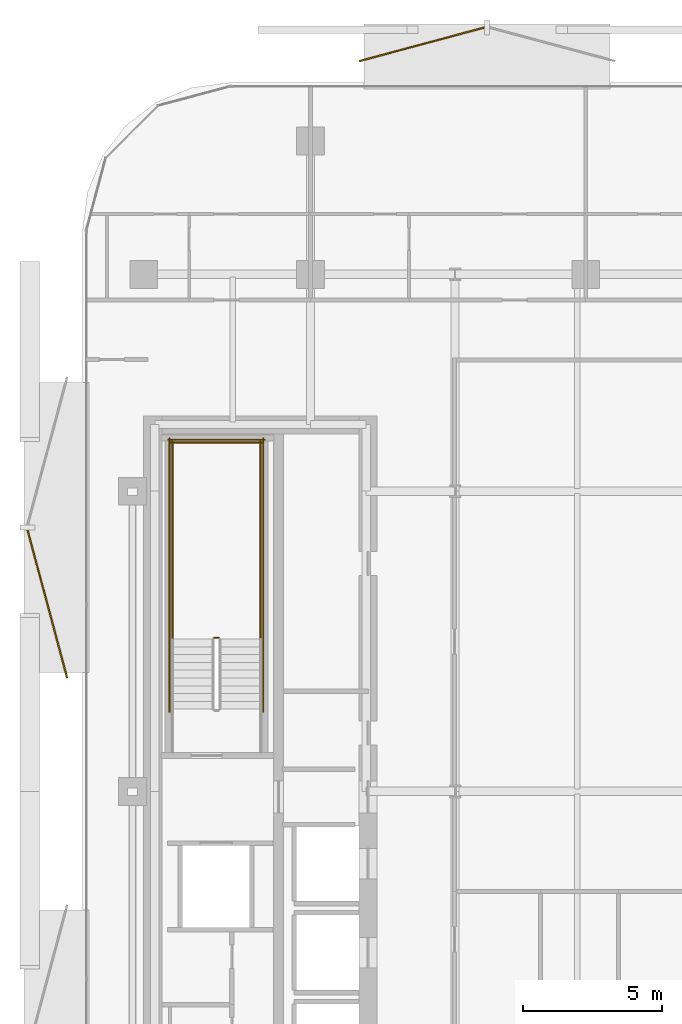
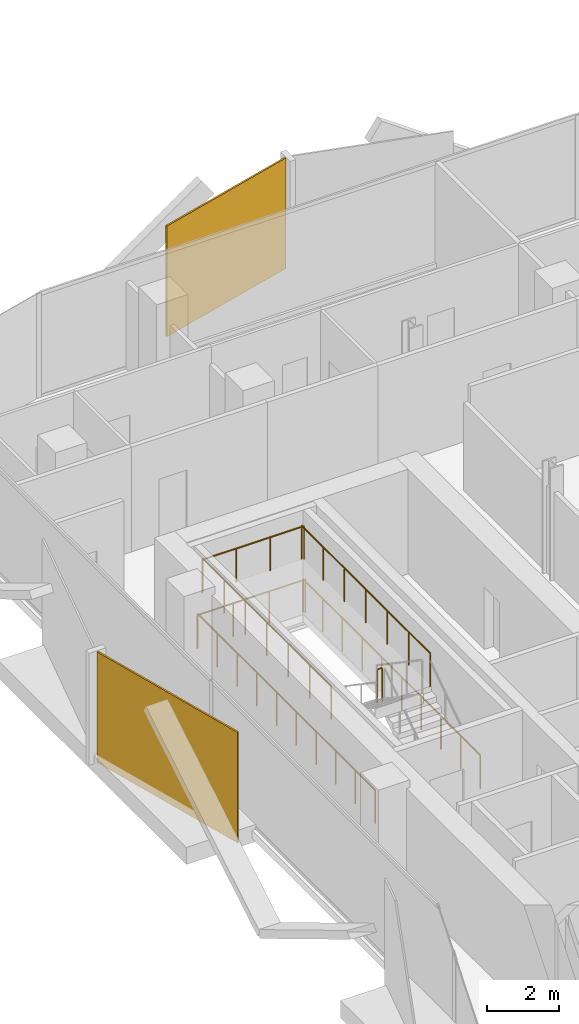
# One storey, part 16 of 17: 7 railings, 2 coverings.
"""IFC4 building model written with IfcOpenShell, lengths in metres."""

from ifc_helpers import new_model, si_unit, direction, frame, origin, origin_2d, place, context, subcontext, project, spatial, rectangle, circle, extrude, material, layer, layer_set, type_object, element, save


model = new_model("IFC4")

# Units and contexts
model_context = context("Model", 3, precision=1e-05, world=origin(), true_north=direction((0.0, 1.0)))
body_context = subcontext(model_context, "Body", "Model", "MODEL_VIEW")
ifc_project = project(units=[si_unit("LENGTHUNIT", "METRE"), si_unit("AREAUNIT", "SQUARE_METRE"), si_unit("VOLUMEUNIT", "CUBIC_METRE"), si_unit("PLANEANGLEUNIT", "RADIAN"), si_unit("MASSUNIT", "GRAM", prefix="KILO")], contexts=[model_context])

# Site, building, storey
site_placement = place(None, origin())
site = spatial("IfcSite", under=ifc_project, at=site_placement, CompositionType="ELEMENT")
building_placement = place(site_placement, origin())
building = spatial("IfcBuilding", under=site, at=building_placement, Name="Khairoan Windgate Tower", CompositionType="ELEMENT")
storey_placement = place(building_placement, frame((0.0, 0.0, 172.60009765625)))
storey = spatial("IfcBuildingStorey", under=building, at=storey_placement, Name="L39", CompositionType="ELEMENT", Elevation=172.60009765625)

# Coverings
ifc_material_1 = material(Name="Anodised Bronze Aluminium 6063-T6", Category="aluminium")
ifc_layer = layer(ifc_material_1, 0.054931640625, Name="Anodised Bronze Aluminium 6063-T6")
ifc_layer_set = layer_set([ifc_layer], Name="Anodised Bronze Aluminium 6063-T6")
covering_type = type_object("IfcCoveringType", Name="Perforated Bronze-Ceramic Folded Solar Screen Cladding BSC-1", PredefinedType="CLADDING", material=ifc_layer_set)
covering_1_placement = place(storey_placement, frame((-23.8671875, 6.74560546875, -0.10009765625), z_axis=(0.0, 0.0, 1.0), x_axis=(-0.258819045103, 0.965925826289, 0.0)))
element("IfcCovering", 1, at=covering_1_placement, inside=storey, type_object=covering_type, Name="L39 Folded Bronze Solar Screen Facet 252L", PredefinedType="CLADDING", context=body_context, shape_type="SweptSolid", body=[
    extrude(rectangle(XDim=5.507080078125, YDim=0.054931640625, at=origin_2d()), origin(), (0.0, 0.0, 1.0), 3.739990234375),
])
covering_2_placement = place(storey_placement, frame((-10.388916015625, 26.876220703125, -0.10009765625), z_axis=(0.0, 0.0, 1.0), x_axis=(0.965925826289, 0.258819045103, 0.0)))
element("IfcCovering", 2, at=covering_2_placement, inside=storey, type_object=covering_type, Name="L39 Folded Bronze Solar Screen Facet 253L", PredefinedType="CLADDING", context=body_context, shape_type="SweptSolid", body=[
    extrude(rectangle(XDim=4.666015625, YDim=0.054931640625, at=origin_2d()), origin(), (0.0, 0.0, 1.0), 3.739990234375),
])

# Railings
ifc_material_2 = material(Name="Steel S355", Category="steel")
railing_type = type_object("IfcRailingType", Name="Stairwell Safety Guardrail SGR-1150", PredefinedType="GUARDRAIL", material=ifc_material_2)
railing_1_placement = place(storey_placement, frame((-17.7099609375, 5.530029296875, 1.89990234375)))
element("IfcRailing", 3, at=railing_1_placement, inside=storey, type_object=railing_type, Name="L39 ST2 stair guard 2", PredefinedType="GUARDRAIL", context=body_context, shape_type="SweptSolid", body=[
    extrude(circle(Radius=0.02392578125, at=origin_2d()), frame((0.0, 0.0, 1.1259765625), z_axis=(-1.0, 0.0, 0.0), x_axis=(0.0, -1.0, 0.0)), (0.0, 0.0, 1.0), 0.150146484375),
    extrude(circle(Radius=0.02099609375, at=origin_2d()), origin(), (0.0, 0.0, 1.0), 1.101806640625),
    extrude(circle(Radius=0.02099609375, at=origin_2d()), frame((-0.150146484375, 0.0, 0.0)), (0.0, 0.0, 1.0), 1.101806640625),
])
for number, where, name in (
    (4, (-16.199951171875, 5.47998046875, 1.89990234375), "L39 ST2 stair guard 3"),
    (5, (-19.3701171875, 5.47998046875, 1.89990234375), "L39 ST2 stair guard 4"),
):
    element("IfcRailing", number, at=place(storey_placement, frame(where)), inside=storey, type_object=railing_type, Name=name, PredefinedType="GUARDRAIL", context=body_context, shape_type="SweptSolid", body=[
        extrude(circle(Radius=0.02392578125, at=origin_2d()), frame((0.0, 0.0, 1.1259765625), z_axis=(0.0, 1.0, 0.0), x_axis=(-1.0, 0.0, 0.0)), (0.0, 0.0, 1.0), 7.1201171875),
        extrude(circle(Radius=0.02099609375, at=origin_2d()), origin(), (0.0, 0.0, 1.0), 1.101806640625),
        extrude(circle(Radius=0.02099609375, at=origin_2d()), frame((0.0, 1.186767578125, 0.0)), (0.0, 0.0, 1.0), 1.101806640625),
        extrude(circle(Radius=0.02099609375, at=origin_2d()), frame((0.0, 2.373291015625, 0.0)), (0.0, 0.0, 1.0), 1.101806640625),
        extrude(circle(Radius=0.02099609375, at=origin_2d()), frame((0.0, 3.56005859375, 0.0)), (0.0, 0.0, 1.0), 1.101806640625),
        extrude(circle(Radius=0.02099609375, at=origin_2d()), frame((0.0, 4.746826171875, 0.0)), (0.0, 0.0, 1.0), 1.101806640625),
        extrude(circle(Radius=0.02099609375, at=origin_2d()), frame((0.0, 5.933349609375, 0.0)), (0.0, 0.0, 1.0), 1.101806640625),
        extrude(circle(Radius=0.02099609375, at=origin_2d()), frame((0.0, 7.1201171875, 0.0)), (0.0, 0.0, 1.0), 1.101806640625),
    ])
railing_2_placement = place(storey_placement, frame((-16.14990234375, 12.550048828125, 1.89990234375)))
element("IfcRailing", 6, at=railing_2_placement, inside=storey, type_object=railing_type, Name="L39 ST2 stair guard 5", PredefinedType="GUARDRAIL", context=body_context, shape_type="SweptSolid", body=[
    extrude(circle(Radius=0.02392578125, at=origin_2d()), frame((0.0, 0.0, 1.1259765625), z_axis=(-1.0, 0.0, 0.0), x_axis=(0.0, -1.0, 0.0)), (0.0, 0.0, 1.0), 3.27001953125),
    extrude(circle(Radius=0.02099609375, at=origin_2d()), origin(), (0.0, 0.0, 1.0), 1.101806640625),
    extrude(circle(Radius=0.02099609375, at=origin_2d()), frame((-1.090087890625, 0.0, 0.0)), (0.0, 0.0, 1.0), 1.101806640625),
    extrude(circle(Radius=0.02099609375, at=origin_2d()), frame((-2.179931640625, 0.0, 0.0)), (0.0, 0.0, 1.0), 1.101806640625),
    extrude(circle(Radius=0.02099609375, at=origin_2d()), frame((-3.27001953125, 0.0, 0.0)), (0.0, 0.0, 1.0), 1.101806640625),
])
for number, where, name in (
    (7, (-16.10009765625, 2.860107421875, 0.0), "L39 ST2 stair guard 10"),
    (8, (-19.469970703125, 2.860107421875, 0.0), "L39 ST2 stair guard 11"),
):
    element("IfcRailing", number, at=place(storey_placement, frame(where)), inside=storey, type_object=railing_type, Name=name, PredefinedType="GUARDRAIL", context=body_context, shape_type="SweptSolid", body=[
        extrude(circle(Radius=0.02392578125, at=origin_2d()), frame((0.0, 0.0, 1.1259765625), z_axis=(0.0, 1.0, 0.0), x_axis=(-1.0, 0.0, 0.0)), (0.0, 0.0, 1.0), 9.83984375),
        extrude(circle(Radius=0.02099609375, at=origin_2d()), origin(), (0.0, 0.0, 1.0), 1.101806640625),
        extrude(circle(Radius=0.02099609375, at=origin_2d()), frame((0.0, 1.09326171875, 0.0)), (0.0, 0.0, 1.0), 1.101806640625),
        extrude(circle(Radius=0.02099609375, at=origin_2d()), frame((0.0, 2.1865234375, 0.0)), (0.0, 0.0, 1.0), 1.101806640625),
        extrude(circle(Radius=0.02099609375, at=origin_2d()), frame((0.0, 3.280029296875, 0.0)), (0.0, 0.0, 1.0), 1.101806640625),
        extrude(circle(Radius=0.02099609375, at=origin_2d()), frame((0.0, 4.373291015625, 0.0)), (0.0, 0.0, 1.0), 1.101806640625),
        extrude(circle(Radius=0.02099609375, at=origin_2d()), frame((0.0, 5.466552734375, 0.0)), (0.0, 0.0, 1.0), 1.101806640625),
        extrude(circle(Radius=0.02099609375, at=origin_2d()), frame((0.0, 6.559814453125, 0.0)), (0.0, 0.0, 1.0), 1.101806640625),
        extrude(circle(Radius=0.02099609375, at=origin_2d()), frame((0.0, 7.6533203125, 0.0)), (0.0, 0.0, 1.0), 1.101806640625),
        extrude(circle(Radius=0.02099609375, at=origin_2d()), frame((0.0, 8.74658203125, 0.0)), (0.0, 0.0, 1.0), 1.101806640625),
        extrude(circle(Radius=0.02099609375, at=origin_2d()), frame((0.0, 9.83984375, 0.0)), (0.0, 0.0, 1.0), 1.101806640625),
    ])
railing_3_placement = place(storey_placement, frame((-16.050048828125, 12.64990234375, 0.0)))
element("IfcRailing", 9, at=railing_3_placement, inside=storey, type_object=railing_type, Name="L39 ST2 stair guard 12", PredefinedType="GUARDRAIL", context=body_context, shape_type="SweptSolid", body=[
    extrude(circle(Radius=0.02392578125, at=origin_2d()), frame((0.0, 0.0, 1.1259765625), z_axis=(-1.0, 0.0, 0.0), x_axis=(0.0, -1.0, 0.0)), (0.0, 0.0, 1.0), 3.469970703125),
    extrude(circle(Radius=0.02099609375, at=origin_2d()), origin(), (0.0, 0.0, 1.0), 1.101806640625),
    extrude(circle(Radius=0.02099609375, at=origin_2d()), frame((-1.15673828125, 0.0, 0.0)), (0.0, 0.0, 1.0), 1.101806640625),
    extrude(circle(Radius=0.02099609375, at=origin_2d()), frame((-2.313232421875, 0.0, 0.0)), (0.0, 0.0, 1.0), 1.101806640625),
    extrude(circle(Radius=0.02099609375, at=origin_2d()), frame((-3.469970703125, 0.0, 0.0)), (0.0, 0.0, 1.0), 1.101806640625),
])

save(model, "model.ifc")
